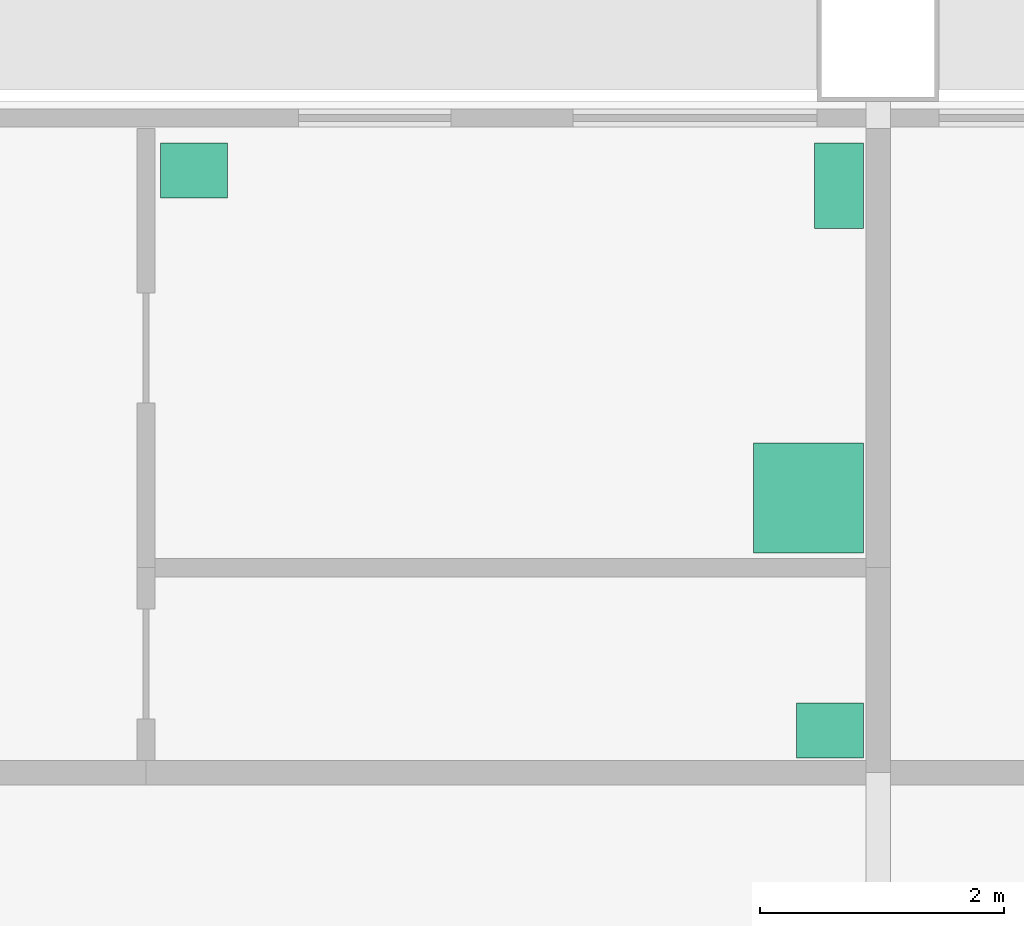
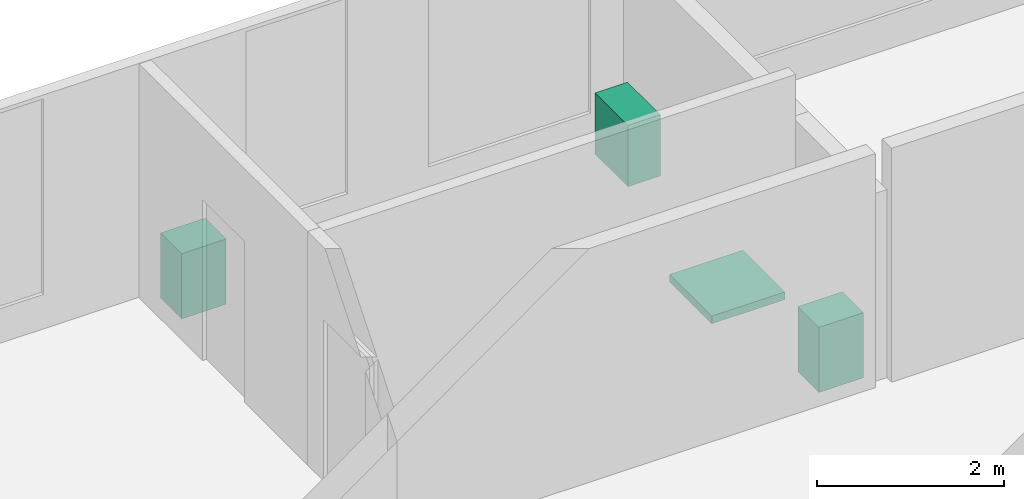
# One storey, part 7 of 7: 4 sanitary terminals.
"""IFC4 building model written with IfcOpenShell, lengths in metres."""

from ifc_helpers import new_model, si_unit, direction, frame, origin, origin_2d, place, context, subcontext, project, spatial, rectangle, extrude, material, type_object, element, save


model = new_model("IFC4")

# Units and contexts
model_context = context("Model", 3, precision=1e-05, world=origin(), true_north=direction((0.0, 1.0)))
body_context = subcontext(model_context, "Body", "Model", "MODEL_VIEW")
ifc_project = project(units=[si_unit("LENGTHUNIT", "METRE"), si_unit("AREAUNIT", "SQUARE_METRE"), si_unit("VOLUMEUNIT", "CUBIC_METRE"), si_unit("PLANEANGLEUNIT", "RADIAN"), si_unit("MASSUNIT", "GRAM", prefix="KILO")], contexts=[model_context])

# Site, building, storey
site_placement = place(None, origin())
site = spatial("IfcSite", under=ifc_project, at=site_placement, CompositionType="ELEMENT")
building_placement = place(site_placement, origin())
building = spatial("IfcBuilding", under=site, at=building_placement, Name="Kitamizu Gate Tower and Museum", CompositionType="ELEMENT")
storey_placement = place(building_placement, frame((0.0, 0.0, 269.699951171875)))
storey = spatial("IfcBuildingStorey", under=building, at=storey_placement, Name="L73", CompositionType="ELEMENT", Elevation=269.699951171875)

# Sanitary terminals
ifc_material_1 = material(Name="Acrylic")
sanitary_terminal_type_1 = type_object("IfcSanitaryTerminalType", Name="Shower tray", PredefinedType="SHOWER", material=ifc_material_1)
sanitary_terminal_1_placement = place(storey_placement, frame((35.429931640625, 44.25, 0.0009765625), z_axis=(0.0, 0.0, 1.0), x_axis=(1.0, 0.0, 0.0)))
element("IfcSanitaryTerminal", 1, at=sanitary_terminal_1_placement, inside=storey, type_object=sanitary_terminal_type_1, Name="Shower tray En-suite bathroom and WC 73A", PredefinedType="SHOWER", context=body_context, shape_type="SweptSolid", body=[
    extrude(rectangle(XDim=0.89990234375, YDim=0.89990234375, at=origin_2d()), origin(), (0.0, 0.0, 1.0), 0.10009765625),
])
ifc_material_2 = material(Name="Vitreous china")
sanitary_terminal_type_2 = type_object("IfcSanitaryTerminalType", Name="Wash hand basin", PredefinedType="WASHHANDBASIN", material=ifc_material_2)
for number, where, z_axis, x_axis, name in (
    (2, (30.39501953125, 46.93505859375, 0.0009765625), (0.0, 0.0, 1.0), (1.0, 0.0, 0.0), "Wash hand basin En-suite bathroom and WC 73A"),
    (3, (35.60498046875, 42.344970703125, 0.0009765625), (0.0, 0.0, 1.0), (1.0, 0.0, 0.0), "Wash hand basin Wash room 73A"),
):
    element("IfcSanitaryTerminal", number, at=place(storey_placement, frame(where, z_axis=z_axis, x_axis=x_axis)), inside=storey, type_object=sanitary_terminal_type_2, Name=name, PredefinedType="WASHHANDBASIN", context=body_context, shape_type="SweptSolid", body=[
        extrude(rectangle(XDim=0.550048828125, YDim=0.449951171875, at=origin_2d()), origin(), (0.0, 0.0, 1.0), 0.85009765625),
    ])
ifc_material_3 = material(Name="Vitreous china")
sanitary_terminal_type_3 = type_object("IfcSanitaryTerminalType", Name="Water closet", PredefinedType="TOILETPAN", material=ifc_material_3)
sanitary_terminal_2_placement = place(storey_placement, frame((35.679931640625, 46.81005859375, 0.0009765625), z_axis=(0.0, 0.0, 1.0), x_axis=(1.0, 0.0, 0.0)))
element("IfcSanitaryTerminal", 4, at=sanitary_terminal_2_placement, inside=storey, type_object=sanitary_terminal_type_3, Name="Water closet En-suite bathroom and WC 73A", PredefinedType="TOILETPAN", context=body_context, shape_type="SweptSolid", body=[
    extrude(rectangle(XDim=0.39990234375, YDim=0.699951171875, at=origin_2d()), origin(), (0.0, 0.0, 1.0), 0.800048828125),
])

save(model, "model.ifc")
